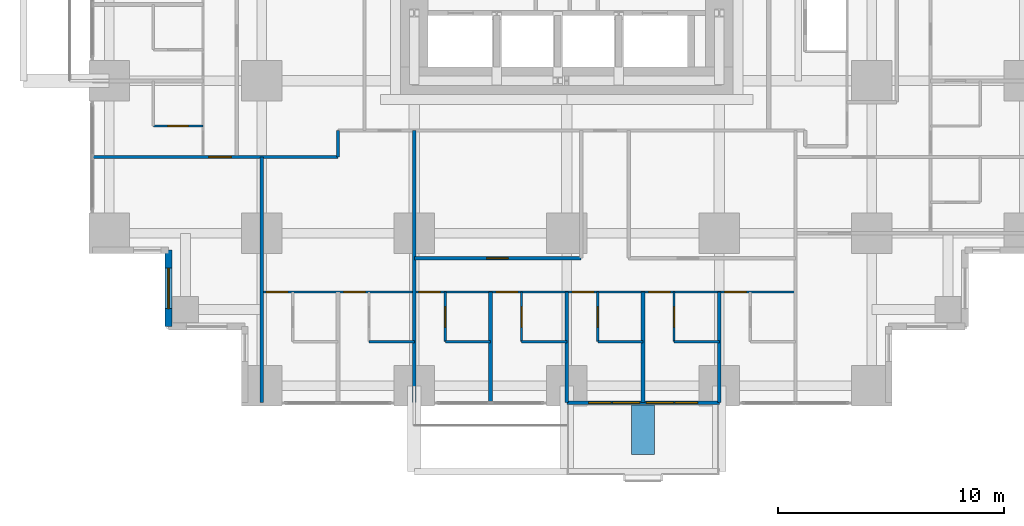
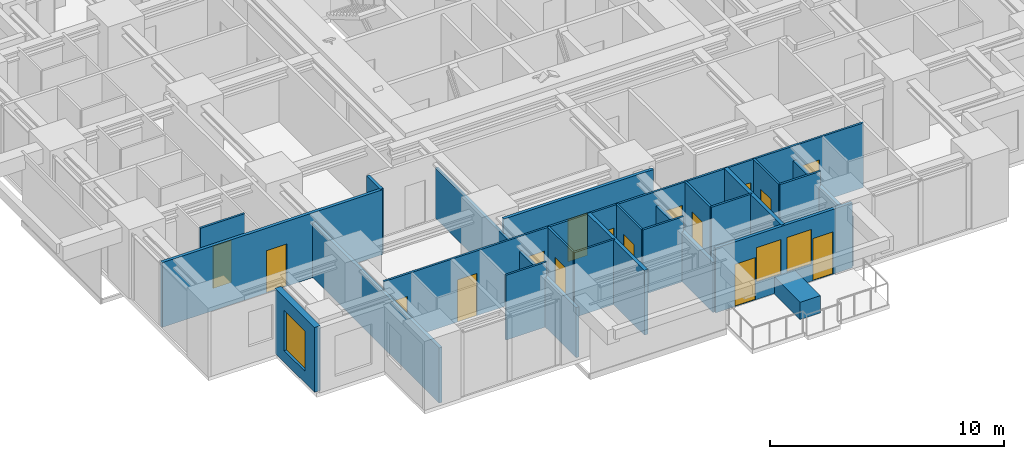
# One storey, part 7 of 13: 23 walls, 16 doors, 3 windows, 19 openings.
"""IFC4 building model written with IfcOpenShell, lengths in metres."""

import ifcopenshell
import ifcopenshell.guid

model = None  # the IFC model being written
_history = None  # IfcOwnerHistory: only IFC2X3 demands one
_inside = {}  # id of a spatial element -> (the spatial element, [elements in it])
_under = {}  # id of a project, library or spatial element -> (it, [spatial elements below it])
_declared = {}  # id of a project -> (the project, [libraries it declares])
_typed = {}  # id of a type object -> (the type object, [elements of that type])
_made_of = {}  # id of a material, layer set ... -> (it, [elements and type objects made of it])


def new_model(schema):
    """Start an empty IFC model of exactly this schema.

    Asked for "IFC4X3", IfcOpenShell would pick the latest addendum, in which some entities
    have other attributes; the version numbers below select the first issue.
    IFC2X3 requires an IfcOwnerHistory on every rooted entity: one is made here for all.
    """
    global model, _history
    if schema == "IFC4X3":
        model = ifcopenshell.file(schema_version=(4, 3, 0, 0))
    else:
        model = ifcopenshell.file(schema=schema)
    _inside.clear()
    _under.clear()
    _declared.clear()
    _typed.clear()
    _made_of.clear()
    _history = None
    if model.schema == "IFC2X3":
        org = make("IfcOrganization", Name="unknown")
        user = make(
            "IfcPersonAndOrganization",
            ThePerson=make("IfcPerson", FamilyName="unknown"),
            TheOrganization=org,
        )
        app = make(
            "IfcApplication",
            ApplicationDeveloper=org,
            Version="unknown",
            ApplicationFullName="unknown",
            ApplicationIdentifier="unknown",
        )
        _history = make(
            "IfcOwnerHistory",
            OwningUser=user,
            OwningApplication=app,
            ChangeAction="ADDED",
            CreationDate=0,
        )
    return model


def make(cls, **values):
    """One entity of the class cls with the attributes given. An attribute that is None is left unset."""
    return model.create_entity(
        cls, **{name: value for name, value in values.items() if value is not None}
    )


def rooted(cls, **values):
    """An entity with a GlobalId (a new one), such as an element, a storey or a relation."""
    return make(cls, GlobalId=ifcopenshell.guid.new(), OwnerHistory=_history, **values)


def si_unit(unit_type, name, prefix=None):
    """IfcSIUnit, for example si_unit("LENGTHUNIT", "METRE", prefix="MILLI")."""
    return make("IfcSIUnit", UnitType=unit_type, Prefix=prefix, Name=name)


def assignment(units):
    """IfcUnitAssignment: the units of a project."""
    return None if units is None else make("IfcUnitAssignment", Units=units)


def point(xyz):
    """IfcCartesianPoint."""
    return None if xyz is None else make("IfcCartesianPoint", Coordinates=xyz)


def direction(xyz):
    """IfcDirection."""
    return None if xyz is None else make("IfcDirection", DirectionRatios=xyz)


def frame(location, z_axis=None, x_axis=None):
    """IfcAxis2Placement3D, a coordinate frame: its origin and axes. An axis left out is left unset."""
    return make(
        "IfcAxis2Placement3D",
        Location=point(location),
        Axis=direction(z_axis),
        RefDirection=direction(x_axis),
    )


def frame_2d(location, x_axis=None):
    """IfcAxis2Placement2D, a coordinate frame in the plane: its origin and x axis."""
    return make(
        "IfcAxis2Placement2D", Location=point(location), RefDirection=direction(x_axis)
    )


def origin():
    """The frame at (0, 0, 0) with its axes left unset."""
    return frame((0.0, 0.0, 0.0))


def place(relative_to, where):
    """IfcLocalPlacement: puts the frame where relative to a parent placement (None: the world)."""
    return make(
        "IfcLocalPlacement", PlacementRelTo=relative_to, RelativePlacement=where
    )


def context(
    kind, dimensions, precision=None, world=None, true_north=None, identifier=None
):
    """IfcGeometricRepresentationContext, for example the 3D "Model" context."""
    return make(
        "IfcGeometricRepresentationContext",
        ContextIdentifier=identifier,
        ContextType=kind,
        CoordinateSpaceDimension=dimensions,
        Precision=precision,
        WorldCoordinateSystem=world,
        TrueNorth=true_north,
    )


def subcontext(parent, identifier, kind, view, scale=None):
    """IfcGeometricRepresentationSubContext, for example "Body" below "Model"."""
    return make(
        "IfcGeometricRepresentationSubContext",
        ContextIdentifier=identifier,
        ContextType=kind,
        ParentContext=parent,
        TargetScale=scale,
        TargetView=view,
    )


def project(units=None, contexts=None):
    """IfcProject with its units and contexts."""
    return rooted(
        "IfcProject",
        Name="project",
        RepresentationContexts=contexts,
        UnitsInContext=assignment(units),
    )


def spatial(cls, under=None, at=None, **own):
    """A site, building, storey or space (cls), placed at a placement, below another one or the project."""
    s = rooted(cls, ObjectPlacement=at, **own)
    if under is not None:
        _under.setdefault(under.id(), (under, []))[1].append(s)
    return s


def profile(cls, at=None, kind="AREA", **sizes):
    """A parametric profile (cls). Its sizes go by their IFC names, for example OverallWidth=200.0."""
    return make(cls, ProfileType=kind, Position=at, **sizes)


def rectangle(**sizes):
    """IfcRectangleProfileDef."""
    return profile("IfcRectangleProfileDef", **sizes)


def extrude(swept, where, along, depth):
    """IfcExtrudedAreaSolid: the profile swept, set in the frame where, extruded along a direction by depth."""
    return make(
        "IfcExtrudedAreaSolid",
        SweptArea=swept,
        Position=where,
        ExtrudedDirection=direction(along),
        Depth=depth,
    )


def shape(context_of_items, identifier, shape_type, items):
    """IfcShapeRepresentation: the items that make up one representation, for example the "Body"."""
    return make(
        "IfcShapeRepresentation",
        ContextOfItems=context_of_items,
        RepresentationIdentifier=identifier,
        RepresentationType=shape_type,
        Items=items,
    )


def material(Name=None, Category=None):
    """IfcMaterial."""
    return make("IfcMaterial", Name=Name, Category=Category)


def layer(
    of_material, thickness, ventilated=None, Name=None, Category=None, Priority=None
):
    """IfcMaterialLayer: one layer of a wall or slab, of a material (None: an air gap)."""
    return make(
        "IfcMaterialLayer",
        Material=of_material,
        LayerThickness=thickness,
        IsVentilated=ventilated,
        Name=Name,
        Category=Category,
        Priority=Priority,
    )


def layer_set(layers, Name=None):
    """IfcMaterialLayerSet."""
    return make("IfcMaterialLayerSet", MaterialLayers=layers, LayerSetName=Name)


def made_of(thing, what):
    """Note that an element or type object is made of a material, layer set ...; save() writes the relation."""
    if what is not None:
        _made_of.setdefault(what.id(), (what, []))[1].append(thing)
    return thing


def type_object(cls, material=None, **own):
    """A type object (cls), such as IfcWallType, which elements share."""
    return made_of(rooted(cls, **own), material)


def element(
    cls,
    number,
    at=None,
    inside=None,
    cuts=None,
    type_object=None,
    material=None,
    context=None,
    identifier="Body",
    shape_type=None,
    held_by="IfcProductDefinitionShape",
    body=None,
    shapes=None,
    **own,
):
    """One element of the class cls, such as IfcWall. Its Tag is "e" and its number.

    at: its placement. inside: the storey or other place that contains it. cuts: it is an
    opening in that element (IfcRelVoidsElement). A single representation is given by context,
    identifier, shape_type and body (its items); several are given by shapes. held_by: the class
    of the entity that holds the representations. save() writes the other relations.
    """
    e = rooted(cls, Tag="e%d" % number, ObjectPlacement=at, **own)
    if body is not None:
        shapes = [shape(context, identifier, shape_type, body)]
    if shapes is not None:
        e.Representation = make(held_by, Representations=shapes)
    if inside is not None:
        _inside.setdefault(inside.id(), (inside, []))[1].append(e)
    if cuts is not None:
        rooted(
            "IfcRelVoidsElement", RelatingBuildingElement=cuts, RelatedOpeningElement=e
        )
    if type_object is not None:
        _typed.setdefault(type_object.id(), (type_object, []))[1].append(e)
    return made_of(e, material)


def fill(opening, filler):
    """IfcRelFillsElement: the door or window that sits in an opening."""
    return rooted(
        "IfcRelFillsElement",
        RelatingOpeningElement=opening,
        RelatedBuildingElement=filler,
    )


def aggregate(whole, parts):
    """IfcRelAggregates: a whole, such as a stair, and the parts it consists of."""
    return rooted("IfcRelAggregates", RelatingObject=whole, RelatedObjects=parts)


def save(model, path):
    """Write the relations noted so far, then the file.

    IfcRelAggregates (storeys below a building ...), IfcRelContainedInSpatialStructure (elements
    in a storey), IfcRelDefinesByType, IfcRelAssociatesMaterial and IfcRelDeclares: one each for
    every whole, place, type object, material and project.
    """
    for whole, parts in _under.values():
        aggregate(whole, parts)
    for where, things in _inside.values():
        rooted(
            "IfcRelContainedInSpatialStructure",
            RelatedElements=things,
            RelatingStructure=where,
        )
    for kind, things in _typed.values():
        rooted("IfcRelDefinesByType", RelatedObjects=things, RelatingType=kind)
    for what, things in _made_of.values():
        rooted("IfcRelAssociatesMaterial", RelatedObjects=things, RelatingMaterial=what)
    for by, libraries in _declared.values():
        rooted("IfcRelDeclares", RelatingContext=by, RelatedDefinitions=libraries)
    model.write(path)


model = new_model("IFC4")

# Units and contexts
model_context = context("Model", 3, precision=1e-05, world=origin(), true_north=direction((0.0, 1.0)))
body_context = subcontext(model_context, "Body", "Model", "MODEL_VIEW")
ifc_project = project(units=[si_unit("LENGTHUNIT", "METRE"), si_unit("AREAUNIT", "SQUARE_METRE"), si_unit("VOLUMEUNIT", "CUBIC_METRE"), si_unit("PLANEANGLEUNIT", "RADIAN"), si_unit("MASSUNIT", "GRAM", prefix="KILO")], contexts=[model_context])

# Site, building, storey
site_placement = place(None, origin())
site = spatial("IfcSite", under=ifc_project, at=site_placement, CompositionType="ELEMENT")
building_placement = place(site_placement, origin())
building = spatial("IfcBuilding", under=site, at=building_placement, Name="Nyansa Garden Tower", CompositionType="ELEMENT")
storey_placement = place(building_placement, frame((0.0, 0.0, 105.300048828125)))
storey = spatial("IfcBuildingStorey", under=building, at=storey_placement, Name="L28", CompositionType="ELEMENT", Elevation=105.300048828125)

# Walls
ifc_material_1 = material(Name="Dense blockwork, plastered both sides, 55 dB", Category="masonry")
ifc_layer_1 = layer(ifc_material_1, 0.175048828125)
ifc_layer_set_1 = layer_set([ifc_layer_1], Name="Acoustic party wall PW175")
wall_type_1 = type_object("IfcWallType", Name="Acoustic party wall PW175", PredefinedType="PARTITIONING", material=ifc_layer_set_1)
wall_1_placement = place(storey_placement, frame((16.875, -0.73388671875, 0.0), z_axis=(0.0, 0.0, 1.0), x_axis=(0.0, 1.0, 0.0)))
element("IfcWall", 1, at=wall_1_placement, inside=storey, type_object=wall_type_1, Name="Party wall", PredefinedType="PARTITIONING", context=body_context, shape_type="SweptSolid", body=[
    extrude(rectangle(XDim=4.8837890625, YDim=0.175048828125, at=frame_2d((2.44189453125, 0.0))), origin(), (0.0, 0.0, 1.0), 3.375),
])
wall_2_placement = place(storey_placement, frame((20.25, -0.73388671875, 0.0), z_axis=(0.0, 0.0, 1.0), x_axis=(0.0, 1.0, 0.0)))
element("IfcWall", 2, at=wall_2_placement, inside=storey, type_object=wall_type_1, Name="Party wall", PredefinedType="PARTITIONING", context=body_context, shape_type="SweptSolid", body=[
    extrude(rectangle(XDim=4.8837890625, YDim=0.175048828125, at=frame_2d((2.44189453125, 0.0))), origin(), (0.0, 0.0, 1.0), 2.60986328125),
])
wall_3_placement = place(storey_placement, frame((23.625, -0.73388671875, 0.0), z_axis=(0.0, 0.0, 1.0), x_axis=(0.0, 1.0, 0.0)))
element("IfcWall", 3, at=wall_3_placement, inside=storey, type_object=wall_type_1, Name="Party wall", PredefinedType="PARTITIONING", context=body_context, shape_type="SweptSolid", body=[
    extrude(rectangle(XDim=4.8837890625, YDim=0.175048828125, at=frame_2d((2.44189453125, 0.0))), origin(), (0.0, 0.0, 1.0), 3.375),
])
wall_4_placement = place(storey_placement, frame((27.0, -0.73388671875, 0.0), z_axis=(0.0, 0.0, 1.0), x_axis=(0.0, 1.0, 0.0)))
element("IfcWall", 4, at=wall_4_placement, inside=storey, type_object=wall_type_1, Name="Party wall", PredefinedType="PARTITIONING", context=body_context, shape_type="SweptSolid", body=[
    extrude(rectangle(XDim=4.8837890625, YDim=0.175048828125, at=frame_2d((2.44189453125, 0.0))), origin(), (0.0, 0.0, 1.0), 2.60986328125),
])

# Wall, openings, doors, windows
ifc_material_2 = material(Name="Black aluminium framed glazed screen", Category="aluminium")
ifc_layer_2 = layer(ifc_material_2, 0.14990234375)
ifc_layer_set_2 = layer_set([ifc_layer_2], Name="Balcony screen wall BW150")
wall_type_2 = type_object("IfcWallType", Name="Balcony screen wall BW150", PredefinedType="SOLIDWALL", material=ifc_layer_set_2)
wall_5_placement = place(storey_placement, frame((27.0, -0.75, 0.0), z_axis=(0.0, 0.0, 1.0), x_axis=(-1.0, 0.0, 0.0)))
wall_5 = element("IfcWall", 5, at=wall_5_placement, inside=storey, type_object=wall_type_2, Name="Glazed screen wall L28 S", PredefinedType="SOLIDWALL", context=body_context, shape_type="SweptSolid", body=[
    extrude(rectangle(XDim=6.75, YDim=0.14990234375, at=frame_2d((3.375, 0.0))), origin(), (0.0, 0.0, 1.0), 3.375),
])
opening_1_placement = place(wall_5_placement, frame((0.96240234375, 0.0, 0.0)))
opening_1 = element("IfcOpeningElement", 6, at=opening_1_placement, cuts=wall_5, Name="Opening D20", PredefinedType="OPENING", context=body_context, shape_type="SweptSolid", body=[
    extrude(rectangle(XDim=1.0, YDim=2.199951171875, at=frame_2d((0.5, 1.10009765625))), frame((0.0, 0.0849609375, 0.0), z_axis=(0.0, -1.0, 0.0), x_axis=(1.0, 0.0, 0.0)), (0.0, 0.0, 1.0), 0.169921875),
])
opening_2_placement = place(wall_5_placement, frame((2.02490234375, 0.0, 0.89990234375)))
opening_2 = element("IfcOpeningElement", 7, at=opening_2_placement, cuts=wall_5, Name="Opening W6", PredefinedType="OPENING", context=body_context, shape_type="SweptSolid", body=[
    extrude(rectangle(XDim=1.199951171875, YDim=1.800048828125, at=frame_2d((0.60009765625, 0.89990234375))), frame((0.0, 0.0849609375, 0.0), z_axis=(0.0, -1.0, 0.0), x_axis=(1.0, 0.0, 0.0)), (0.0, 0.0, 1.0), 0.169921875),
])
opening_3_placement = place(wall_5_placement, frame((4.78759765625, 0.0, 0.0)))
opening_3 = element("IfcOpeningElement", 8, at=opening_3_placement, cuts=wall_5, Name="Opening D20", PredefinedType="OPENING", context=body_context, shape_type="SweptSolid", body=[
    extrude(rectangle(XDim=1.0, YDim=2.199951171875, at=frame_2d((0.5, 1.10009765625))), frame((0.0, 0.0849609375, 0.0), z_axis=(0.0, -1.0, 0.0), x_axis=(1.0, 0.0, 0.0)), (0.0, 0.0, 1.0), 0.169921875),
])
opening_4_placement = place(wall_5_placement, frame((3.52490234375, 0.0, 0.89990234375)))
opening_4 = element("IfcOpeningElement", 9, at=opening_4_placement, cuts=wall_5, Name="Opening W6", PredefinedType="OPENING", context=body_context, shape_type="SweptSolid", body=[
    extrude(rectangle(XDim=1.199951171875, YDim=1.800048828125, at=frame_2d((0.60009765625, 0.89990234375))), frame((0.0, 0.0849609375, 0.0), z_axis=(0.0, -1.0, 0.0), x_axis=(1.0, 0.0, 0.0)), (0.0, 0.0, 1.0), 0.169921875),
])
ifc_material_3 = material(Name="Black aluminium framed glazed door", Category="aluminium")
door_type_1 = type_object("IfcDoorType", Name="Balcony door D20 1000x2200", OperationType="NOTDEFINED", PredefinedType="DOOR", material=ifc_material_3)
door_1_placement = place(opening_1_placement, origin())
door_1 = element("IfcDoor", 10, at=door_1_placement, inside=storey, type_object=door_type_1, Name="Balcony door L28", OperationType="SINGLE_SWING_LEFT", OverallHeight=2.199951171875, OverallWidth=1.0, PredefinedType="DOOR", context=body_context, shape_type="SweptSolid", body=[
    extrude(rectangle(XDim=1.0, YDim=2.199951171875, at=frame_2d((0.5, 1.10009765625))), frame((0.0, 0.02490234375, 0.0), z_axis=(0.0, -1.0, 0.0), x_axis=(1.0, 0.0, 0.0)), (0.0, 0.0, 1.0), 0.050048828125),
])
fill(opening_1, door_1)
door_2_placement = place(opening_3_placement, origin())
door_2 = element("IfcDoor", 11, at=door_2_placement, inside=storey, type_object=door_type_1, Name="Balcony door L28", OperationType="SINGLE_SWING_RIGHT", OverallHeight=2.199951171875, OverallWidth=1.0, PredefinedType="DOOR", context=body_context, shape_type="SweptSolid", body=[
    extrude(rectangle(XDim=1.0, YDim=2.199951171875, at=frame_2d((0.5, 1.10009765625))), frame((0.0, 0.02490234375, 0.0), z_axis=(0.0, -1.0, 0.0), x_axis=(1.0, 0.0, 0.0)), (0.0, 0.0, 1.0), 0.050048828125),
])
fill(opening_3, door_2)
ifc_material_4 = material(Name="Black aluminium frame, dark tinted double glazing", Category="aluminium")
window_type_1 = type_object("IfcWindowType", Name="Balcony window W6 1200x1800", PartitioningType="SINGLE_PANEL", PredefinedType="WINDOW", material=ifc_material_4)
window_1_placement = place(opening_2_placement, origin())
window_1 = element("IfcWindow", 12, at=window_1_placement, inside=storey, type_object=window_type_1, Name="Window L28", OverallHeight=1.800048828125, OverallWidth=1.199951171875, PartitioningType="SINGLE_PANEL", PredefinedType="WINDOW", context=body_context, shape_type="SweptSolid", body=[
    extrude(rectangle(XDim=1.199951171875, YDim=1.800048828125, at=frame_2d((0.60009765625, 0.89990234375))), frame((0.0, 0.030029296875, 0.0), z_axis=(0.0, -1.0, 0.0), x_axis=(1.0, 0.0, 0.0)), (0.0, 0.0, 1.0), 0.06005859375),
])
fill(opening_2, window_1)
window_2_placement = place(opening_4_placement, origin())
window_2 = element("IfcWindow", 13, at=window_2_placement, inside=storey, type_object=window_type_1, Name="Window L28", OverallHeight=1.800048828125, OverallWidth=1.199951171875, PartitioningType="SINGLE_PANEL", PredefinedType="WINDOW", context=body_context, shape_type="SweptSolid", body=[
    extrude(rectangle(XDim=1.199951171875, YDim=1.800048828125, at=frame_2d((0.60009765625, 0.89990234375))), frame((0.0, 0.030029296875, 0.0), z_axis=(0.0, -1.0, 0.0), x_axis=(1.0, 0.0, 0.0)), (0.0, 0.0, 1.0), 0.06005859375),
])
fill(opening_4, window_2)

# Wall, opening, door
ifc_material_5 = material(Name="Blockwork, plastered both sides", Category="masonry")
ifc_layer_3 = layer(ifc_material_5, 0.14990234375)
ifc_layer_set_3 = layer_set([ifc_layer_3], Name="Partition PW150")
wall_type_3 = type_object("IfcWallType", Name="Partition PW150", PredefinedType="PARTITIONING", material=ifc_layer_set_3)
wall_6_placement = place(storey_placement, frame((-0.73388671875, 10.125, 0.0), z_axis=(0.0, 0.0, 1.0), x_axis=(1.0, 0.0, 0.0)))
wall_6 = element("IfcWall", 14, at=wall_6_placement, inside=storey, type_object=wall_type_3, Name="Partition", PredefinedType="PARTITIONING", context=body_context, shape_type="SweptSolid", body=[
    extrude(rectangle(XDim=10.85888671875, YDim=0.14990234375, at=frame_2d((5.429443359375, 0.0))), origin(), (0.0, 0.0, 1.0), 3.375),
])
opening_5_placement = place(wall_6_placement, frame((5.134033203125, 0.0, 0.0)))
opening_5 = element("IfcOpeningElement", 15, at=opening_5_placement, cuts=wall_6, Name="Opening D03", PredefinedType="OPENING", context=body_context, shape_type="SweptSolid", body=[
    extrude(rectangle(XDim=1.0, YDim=2.199951171875, at=frame_2d((0.5, 1.10009765625))), frame((0.0, 0.0849609375, 0.0), z_axis=(0.0, -1.0, 0.0), x_axis=(1.0, 0.0, 0.0)), (0.0, 0.0, 1.0), 0.169921875),
])
ifc_material_6 = material(Name="Timber flush door, 60 minute fire resisting", Category="wood")
door_type_2 = type_object("IfcDoorType", Name="Cluster entrance door D03 1000x2200", OperationType="SINGLE_SWING_LEFT", PredefinedType="DOOR", material=ifc_material_6)
door_3_placement = place(opening_5_placement, origin())
door_3 = element("IfcDoor", 16, at=door_3_placement, inside=storey, type_object=door_type_2, Name="Door L28-017", OperationType="SINGLE_SWING_LEFT", OverallHeight=2.199951171875, OverallWidth=1.0, PredefinedType="DOOR", context=body_context, shape_type="SweptSolid", body=[
    extrude(rectangle(XDim=1.0, YDim=2.199951171875, at=frame_2d((0.5, 1.10009765625))), frame((0.0, 0.02490234375, 0.0), z_axis=(0.0, -1.0, 0.0), x_axis=(1.0, 0.0, 0.0)), (0.0, 0.0, 1.0), 0.050048828125),
])
fill(opening_5, door_3)

# Walls
wall_7_placement = place(storey_placement, frame((6.75, -0.73388671875, 0.0), z_axis=(0.0, 0.0, 1.0), x_axis=(0.0, 1.0, 0.0)))
element("IfcWall", 17, at=wall_7_placement, inside=storey, type_object=wall_type_3, Name="Partition", PredefinedType="PARTITIONING", context=body_context, shape_type="SweptSolid", body=[
    extrude(rectangle(XDim=10.85888671875, YDim=0.14990234375, at=frame_2d((5.429443359375, 0.0))), origin(), (0.0, 0.0, 1.0), 2.876953125),
])
wall_8_placement = place(storey_placement, frame((10.125, 10.125, 0.0), z_axis=(0.0, 0.0, 1.0), x_axis=(0.0, 1.0, 0.0)))
element("IfcWall", 18, at=wall_8_placement, inside=storey, type_object=wall_type_3, Name="Partition", PredefinedType="PARTITIONING", context=body_context, shape_type="SweptSolid", body=[
    extrude(rectangle(XDim=1.175048828125, YDim=0.14990234375, at=frame_2d((0.58740234375, 0.0))), origin(), (0.0, 0.0, 1.0), 3.375),
])
wall_9_placement = place(storey_placement, frame((13.5, -0.73388671875, 0.0), z_axis=(0.0, 0.0, 1.0), x_axis=(0.0, 1.0, 0.0)))
element("IfcWall", 19, at=wall_9_placement, inside=storey, type_object=wall_type_3, Name="Partition", PredefinedType="PARTITIONING", context=body_context, shape_type="SweptSolid", body=[
    extrude(rectangle(XDim=12.033935546875, YDim=0.14990234375, at=frame_2d((6.01708984375, 0.0))), origin(), (0.0, 0.0, 1.0), 2.60986328125),
])

# Wall, opening, door
wall_10_placement = place(storey_placement, frame((13.5, 5.64990234375, 0.0), z_axis=(0.0, 0.0, 1.0), x_axis=(1.0, 0.0, 0.0)))
wall_10 = element("IfcWall", 20, at=wall_10_placement, inside=storey, type_object=wall_type_3, Name="Partition", PredefinedType="PARTITIONING", context=body_context, shape_type="SweptSolid", body=[
    extrude(rectangle(XDim=7.387451171875, YDim=0.14990234375, at=frame_2d((3.69384765625, 0.0))), origin(), (0.0, 0.0, 1.0), 3.375),
])
opening_6_placement = place(wall_10_placement, frame((3.199951171875, 0.0, 0.0)))
opening_6 = element("IfcOpeningElement", 21, at=opening_6_placement, cuts=wall_10, Name="Opening D01", PredefinedType="OPENING", context=body_context, shape_type="SweptSolid", body=[
    extrude(rectangle(XDim=0.949951171875, YDim=2.199951171875, at=frame_2d((0.47509765625, 1.10009765625))), frame((0.0, 0.0849609375, 0.0), z_axis=(0.0, -1.0, 0.0), x_axis=(1.0, 0.0, 0.0)), (0.0, 0.0, 1.0), 0.169921875),
])
ifc_material_7 = material(Name="Timber flush door, 30 minute fire resisting", Category="wood")
door_type_3 = type_object("IfcDoorType", Name="Bedroom door D01 950x2200", OperationType="SINGLE_SWING_LEFT", PredefinedType="DOOR", material=ifc_material_7)
door_4_placement = place(opening_6_placement, origin())
door_4 = element("IfcDoor", 22, at=door_4_placement, inside=storey, type_object=door_type_3, Name="Door L28-035", OperationType="SINGLE_SWING_LEFT", OverallHeight=2.199951171875, OverallWidth=0.949951171875, PredefinedType="DOOR", context=body_context, shape_type="SweptSolid", body=[
    extrude(rectangle(XDim=0.949951171875, YDim=2.199951171875, at=frame_2d((0.47509765625, 1.10009765625))), frame((0.0, 0.02490234375, 0.0), z_axis=(0.0, -1.0, 0.0), x_axis=(1.0, 0.0, 0.0)), (0.0, 0.0, 1.0), 0.050048828125),
])
fill(opening_6, door_4)

# Wall, opening, window
ifc_material_8 = material(Name="Turquoise glazed tile on concrete blockwork", Category="masonry")
ifc_layer_4 = layer(ifc_material_8, 0.300048828125)
ifc_layer_set_4 = layer_set([ifc_layer_4], Name="Tiled corner wall TW300")
wall_type_4 = type_object("IfcWallType", Name="Tiled corner wall TW300", PredefinedType="SOLIDWALL", material=ifc_layer_set_4)
wall_11_placement = place(storey_placement, frame((2.625, 6.0, 0.0), z_axis=(0.0, 0.0, 1.0), x_axis=(0.0, -1.0, 0.0)))
wall_11 = element("IfcWall", 23, at=wall_11_placement, inside=storey, type_object=wall_type_4, Name="Tiled corner wall L28", PredefinedType="SOLIDWALL", context=body_context, shape_type="SweptSolid", body=[
    extrude(rectangle(XDim=3.375, YDim=0.300048828125, at=frame_2d((1.6875, 0.0))), origin(), (0.0, 0.0, 1.0), 3.375),
])
opening_7_placement = place(wall_11_placement, frame((0.78759765625, 0.0, 0.60009765625)))
opening_7 = element("IfcOpeningElement", 24, at=opening_7_placement, cuts=wall_11, Name="Opening W2", PredefinedType="OPENING", context=body_context, shape_type="SweptSolid", body=[
    extrude(rectangle(XDim=1.800048828125, YDim=2.10009765625, at=frame_2d((0.89990234375, 1.050048828125))), frame((0.0, 0.159912109375, 0.0), z_axis=(0.0, -1.0, 0.0), x_axis=(1.0, 0.0, 0.0)), (0.0, 0.0, 1.0), 0.320068359375),
])
ifc_material_9 = material(Name="Black aluminium frame, dark tinted double glazing", Category="aluminium")
window_type_2 = type_object("IfcWindowType", Name="Window W2 1800x2100", PartitioningType="SINGLE_PANEL", PredefinedType="WINDOW", material=ifc_material_9)
window_3_placement = place(opening_7_placement, origin())
window_3 = element("IfcWindow", 25, at=window_3_placement, inside=storey, type_object=window_type_2, Name="Corner window L28", OverallHeight=2.10009765625, OverallWidth=1.800048828125, PartitioningType="SINGLE_PANEL", PredefinedType="WINDOW", context=body_context, shape_type="SweptSolid", body=[
    extrude(rectangle(XDim=1.800048828125, YDim=2.10009765625, at=frame_2d((0.89990234375, 1.050048828125))), frame((0.0, 0.030029296875, 0.0), z_axis=(0.0, -1.0, 0.0), x_axis=(1.0, 0.0, 0.0)), (0.0, 0.0, 1.0), 0.06005859375),
])
fill(opening_7, window_3)

# Wall
ifc_material_10 = material(Name="Concrete C40/50 planter, waterproofed", Category="concrete")
ifc_layer_5 = layer(ifc_material_10, 1.0)
ifc_layer_set_5 = layer_set([ifc_layer_5], Name="Tree planter TP1")
wall_type_5 = type_object("IfcWallType", Name="Tree planter TP1", PredefinedType="USERDEFINED", material=ifc_layer_set_5)
wall_12_placement = place(storey_placement, frame((23.625, -0.85009765625, 0.0), z_axis=(0.0, 0.0, 1.0), x_axis=(0.0, -1.0, 0.0)))
element("IfcWall", 26, at=wall_12_placement, inside=storey, type_object=wall_type_5, Name="Tree planter L28", ObjectType="TREE PLANTER", PredefinedType="USERDEFINED", context=body_context, shape_type="SweptSolid", body=[
    extrude(rectangle(XDim=2.199951171875, YDim=1.0, at=frame_2d((1.10009765625, 0.0))), origin(), (0.0, 0.0, 1.0), 0.89990234375),
])

# Wall, opening, door
ifc_material_11 = material(Name="Moisture resistant board on steel studs, tiled", Category="steel")
ifc_layer_6 = layer(ifc_material_11, 0.10009765625)
ifc_layer_set_6 = layer_set([ifc_layer_6], Name="Wet wall PW100")
wall_type_6 = type_object("IfcWallType", Name="Wet wall PW100", PredefinedType="PARTITIONING", material=ifc_layer_set_6)
wall_13_placement = place(storey_placement, frame((1.949951171875, 11.5, 0.0), z_axis=(0.0, 0.0, 1.0), x_axis=(1.0, 0.0, 0.0)))
wall_13 = element("IfcWall", 27, at=wall_13_placement, inside=storey, type_object=wall_type_6, Name="Wet wall", PredefinedType="PARTITIONING", context=body_context, shape_type="SweptSolid", body=[
    extrude(rectangle(XDim=2.199951171875, YDim=0.10009765625, at=frame_2d((1.10009765625, 0.0))), origin(), (0.0, 0.0, 1.0), 3.375),
])
opening_8_placement = place(wall_13_placement, frame((0.64990234375, 0.0, 0.0)))
opening_8 = element("IfcOpeningElement", 28, at=opening_8_placement, cuts=wall_13, Name="Opening D02", PredefinedType="OPENING", context=body_context, shape_type="SweptSolid", body=[
    extrude(rectangle(XDim=0.89990234375, YDim=2.199951171875, at=frame_2d((0.449951171875, 1.10009765625))), frame((0.0, 0.06005859375, 0.0), z_axis=(0.0, -1.0, 0.0), x_axis=(1.0, 0.0, 0.0)), (0.0, 0.0, 1.0), 0.1201171875),
])
ifc_material_12 = material(Name="Timber flush door", Category="wood")
door_type_4 = type_object("IfcDoorType", Name="En-suite door D02 900x2200", OperationType="SINGLE_SWING_RIGHT", PredefinedType="DOOR", material=ifc_material_12)
door_5_placement = place(opening_8_placement, origin())
door_5 = element("IfcDoor", 29, at=door_5_placement, inside=storey, type_object=door_type_4, Name="Door L28-061", OperationType="SINGLE_SWING_RIGHT", OverallHeight=2.199951171875, OverallWidth=0.89990234375, PredefinedType="DOOR", context=body_context, shape_type="SweptSolid", body=[
    extrude(rectangle(XDim=0.89990234375, YDim=2.199951171875, at=frame_2d((0.449951171875, 1.10009765625))), frame((0.0, 0.02490234375, 0.0), z_axis=(0.0, -1.0, 0.0), x_axis=(1.0, 0.0, 0.0)), (0.0, 0.0, 1.0), 0.050048828125),
])
fill(opening_8, door_5)

# Wall, openings, doors
wall_14_placement = place(storey_placement, frame((6.75, 4.14990234375, 0.0), z_axis=(0.0, 0.0, 1.0), x_axis=(1.0, 0.0, 0.0)))
wall_14 = element("IfcWall", 30, at=wall_14_placement, inside=storey, type_object=wall_type_6, Name="Wet wall", PredefinedType="PARTITIONING", context=body_context, shape_type="SweptSolid", body=[
    extrude(rectangle(XDim=23.625, YDim=0.10009765625, at=frame_2d((11.8125, 0.0))), origin(), (0.0, 0.0, 1.0), 3.375),
])
opening_9_placement = place(wall_14_placement, frame((0.199951171875, 0.0, 0.0)))
opening_9 = element("IfcOpeningElement", 31, at=opening_9_placement, cuts=wall_14, Name="Opening D01", PredefinedType="OPENING", context=body_context, shape_type="SweptSolid", body=[
    extrude(rectangle(XDim=0.949951171875, YDim=2.199951171875, at=frame_2d((0.47509765625, 1.10009765625))), frame((0.0, 0.06005859375, 0.0), z_axis=(0.0, -1.0, 0.0), x_axis=(1.0, 0.0, 0.0)), (0.0, 0.0, 1.0), 0.1201171875),
])
opening_10_placement = place(wall_14_placement, frame((3.625, 0.0, 0.0)))
opening_10 = element("IfcOpeningElement", 32, at=opening_10_placement, cuts=wall_14, Name="Opening D01", PredefinedType="OPENING", context=body_context, shape_type="SweptSolid", body=[
    extrude(rectangle(XDim=0.949951171875, YDim=2.199951171875, at=frame_2d((0.47509765625, 1.10009765625))), frame((0.0, 0.06005859375, 0.0), z_axis=(0.0, -1.0, 0.0), x_axis=(1.0, 0.0, 0.0)), (0.0, 0.0, 1.0), 0.1201171875),
])
opening_11_placement = place(wall_14_placement, frame((6.949951171875, 0.0, 0.0)))
opening_11 = element("IfcOpeningElement", 33, at=opening_11_placement, cuts=wall_14, Name="Opening D14", PredefinedType="OPENING", context=body_context, shape_type="SweptSolid", body=[
    extrude(rectangle(XDim=0.949951171875, YDim=2.199951171875, at=frame_2d((0.47509765625, 1.10009765625))), frame((0.0, 0.06005859375, 0.0), z_axis=(0.0, -1.0, 0.0), x_axis=(1.0, 0.0, 0.0)), (0.0, 0.0, 1.0), 0.1201171875),
])
opening_12_placement = place(wall_14_placement, frame((10.375, 0.0, 0.0)))
opening_12 = element("IfcOpeningElement", 34, at=opening_12_placement, cuts=wall_14, Name="Opening D14", PredefinedType="OPENING", context=body_context, shape_type="SweptSolid", body=[
    extrude(rectangle(XDim=0.949951171875, YDim=2.199951171875, at=frame_2d((0.47509765625, 1.10009765625))), frame((0.0, 0.06005859375, 0.0), z_axis=(0.0, -1.0, 0.0), x_axis=(1.0, 0.0, 0.0)), (0.0, 0.0, 1.0), 0.1201171875),
])
opening_13_placement = place(wall_14_placement, frame((13.75, 0.0, 0.0)))
opening_13 = element("IfcOpeningElement", 35, at=opening_13_placement, cuts=wall_14, Name="Opening D14", PredefinedType="OPENING", context=body_context, shape_type="SweptSolid", body=[
    extrude(rectangle(XDim=0.949951171875, YDim=2.199951171875, at=frame_2d((0.47509765625, 1.10009765625))), frame((0.0, 0.06005859375, 0.0), z_axis=(0.0, -1.0, 0.0), x_axis=(1.0, 0.0, 0.0)), (0.0, 0.0, 1.0), 0.1201171875),
])
opening_14_placement = place(wall_14_placement, frame((17.125, 0.0, 0.0)))
opening_14 = element("IfcOpeningElement", 36, at=opening_14_placement, cuts=wall_14, Name="Opening D14", PredefinedType="OPENING", context=body_context, shape_type="SweptSolid", body=[
    extrude(rectangle(XDim=0.949951171875, YDim=2.199951171875, at=frame_2d((0.47509765625, 1.10009765625))), frame((0.0, 0.06005859375, 0.0), z_axis=(0.0, -1.0, 0.0), x_axis=(1.0, 0.0, 0.0)), (0.0, 0.0, 1.0), 0.1201171875),
])
opening_15_placement = place(wall_14_placement, frame((20.5, 0.0, 0.0)))
opening_15 = element("IfcOpeningElement", 37, at=opening_15_placement, cuts=wall_14, Name="Opening D14", PredefinedType="OPENING", context=body_context, shape_type="SweptSolid", body=[
    extrude(rectangle(XDim=0.949951171875, YDim=2.199951171875, at=frame_2d((0.47509765625, 1.10009765625))), frame((0.0, 0.06005859375, 0.0), z_axis=(0.0, -1.0, 0.0), x_axis=(1.0, 0.0, 0.0)), (0.0, 0.0, 1.0), 0.1201171875),
])
door_6_placement = place(opening_9_placement, origin())
door_6 = element("IfcDoor", 38, at=door_6_placement, inside=storey, type_object=door_type_3, Name="Door L28-018", OperationType="SINGLE_SWING_LEFT", OverallHeight=2.199951171875, OverallWidth=0.949951171875, PredefinedType="DOOR", context=body_context, shape_type="SweptSolid", body=[
    extrude(rectangle(XDim=0.949951171875, YDim=2.199951171875, at=frame_2d((0.47509765625, 1.10009765625))), frame((0.0, 0.02490234375, 0.0), z_axis=(0.0, -1.0, 0.0), x_axis=(1.0, 0.0, 0.0)), (0.0, 0.0, 1.0), 0.050048828125),
])
fill(opening_9, door_6)
door_7_placement = place(opening_10_placement, origin())
door_7 = element("IfcDoor", 39, at=door_7_placement, inside=storey, type_object=door_type_3, Name="Door L28-020", OperationType="SINGLE_SWING_LEFT", OverallHeight=2.199951171875, OverallWidth=0.949951171875, PredefinedType="DOOR", context=body_context, shape_type="SweptSolid", body=[
    extrude(rectangle(XDim=0.949951171875, YDim=2.199951171875, at=frame_2d((0.47509765625, 1.10009765625))), frame((0.0, 0.02490234375, 0.0), z_axis=(0.0, -1.0, 0.0), x_axis=(1.0, 0.0, 0.0)), (0.0, 0.0, 1.0), 0.050048828125),
])
fill(opening_10, door_7)
ifc_material_13 = material(Name="Timber flush door, 60 minute fire resisting, self-closing", Category="wood")
door_type_5 = type_object("IfcDoorType", Name="Studio entrance door D14 950x2200", OperationType="SINGLE_SWING_LEFT", PredefinedType="DOOR", material=ifc_material_13)
door_8_placement = place(opening_11_placement, origin())
door_8 = element("IfcDoor", 40, at=door_8_placement, inside=storey, type_object=door_type_5, Name="Door L28-023", OperationType="SINGLE_SWING_LEFT", OverallHeight=2.199951171875, OverallWidth=0.949951171875, PredefinedType="DOOR", context=body_context, shape_type="SweptSolid", body=[
    extrude(rectangle(XDim=0.949951171875, YDim=2.199951171875, at=frame_2d((0.47509765625, 1.10009765625))), frame((0.0, 0.02490234375, 0.0), z_axis=(0.0, -1.0, 0.0), x_axis=(1.0, 0.0, 0.0)), (0.0, 0.0, 1.0), 0.050048828125),
])
fill(opening_11, door_8)
door_9_placement = place(opening_12_placement, origin())
door_9 = element("IfcDoor", 41, at=door_9_placement, inside=storey, type_object=door_type_5, Name="Door L28-025", OperationType="SINGLE_SWING_LEFT", OverallHeight=2.199951171875, OverallWidth=0.949951171875, PredefinedType="DOOR", context=body_context, shape_type="SweptSolid", body=[
    extrude(rectangle(XDim=0.949951171875, YDim=2.199951171875, at=frame_2d((0.47509765625, 1.10009765625))), frame((0.0, 0.02490234375, 0.0), z_axis=(0.0, -1.0, 0.0), x_axis=(1.0, 0.0, 0.0)), (0.0, 0.0, 1.0), 0.050048828125),
])
fill(opening_12, door_9)
door_10_placement = place(opening_13_placement, origin())
door_10 = element("IfcDoor", 42, at=door_10_placement, inside=storey, type_object=door_type_5, Name="Door L28-027", OperationType="SINGLE_SWING_LEFT", OverallHeight=2.199951171875, OverallWidth=0.949951171875, PredefinedType="DOOR", context=body_context, shape_type="SweptSolid", body=[
    extrude(rectangle(XDim=0.949951171875, YDim=2.199951171875, at=frame_2d((0.47509765625, 1.10009765625))), frame((0.0, 0.02490234375, 0.0), z_axis=(0.0, -1.0, 0.0), x_axis=(1.0, 0.0, 0.0)), (0.0, 0.0, 1.0), 0.050048828125),
])
fill(opening_13, door_10)
door_11_placement = place(opening_14_placement, origin())
door_11 = element("IfcDoor", 43, at=door_11_placement, inside=storey, type_object=door_type_5, Name="Door L28-029", OperationType="SINGLE_SWING_LEFT", OverallHeight=2.199951171875, OverallWidth=0.949951171875, PredefinedType="DOOR", context=body_context, shape_type="SweptSolid", body=[
    extrude(rectangle(XDim=0.949951171875, YDim=2.199951171875, at=frame_2d((0.47509765625, 1.10009765625))), frame((0.0, 0.02490234375, 0.0), z_axis=(0.0, -1.0, 0.0), x_axis=(1.0, 0.0, 0.0)), (0.0, 0.0, 1.0), 0.050048828125),
])
fill(opening_14, door_11)
door_12_placement = place(opening_15_placement, origin())
door_12 = element("IfcDoor", 44, at=door_12_placement, inside=storey, type_object=door_type_5, Name="Door L28-031", OperationType="SINGLE_SWING_LEFT", OverallHeight=2.199951171875, OverallWidth=0.949951171875, PredefinedType="DOOR", context=body_context, shape_type="SweptSolid", body=[
    extrude(rectangle(XDim=0.949951171875, YDim=2.199951171875, at=frame_2d((0.47509765625, 1.10009765625))), frame((0.0, 0.02490234375, 0.0), z_axis=(0.0, -1.0, 0.0), x_axis=(1.0, 0.0, 0.0)), (0.0, 0.0, 1.0), 0.050048828125),
])
fill(opening_15, door_12)

# Wall
wall_15_placement = place(storey_placement, frame((11.5, 1.949951171875, 0.0), z_axis=(0.0, 0.0, 1.0), x_axis=(1.0, 0.0, 0.0)))
element("IfcWall", 45, at=wall_15_placement, inside=storey, type_object=wall_type_6, Name="Wet wall", PredefinedType="PARTITIONING", context=body_context, shape_type="SweptSolid", body=[
    extrude(rectangle(XDim=2.0, YDim=0.10009765625, at=frame_2d((1.0, 0.0))), origin(), (0.0, 0.0, 1.0), 3.375),
])

# Wall, opening, door
wall_16_placement = place(storey_placement, frame((14.875, 1.949951171875, 0.0), z_axis=(0.0, 0.0, 1.0), x_axis=(0.0, 1.0, 0.0)))
wall_16 = element("IfcWall", 46, at=wall_16_placement, inside=storey, type_object=wall_type_6, Name="Wet wall", PredefinedType="PARTITIONING", context=body_context, shape_type="SweptSolid", body=[
    extrude(rectangle(XDim=2.199951171875, YDim=0.10009765625, at=frame_2d((1.10009765625, 0.0))), origin(), (0.0, 0.0, 1.0), 3.375),
])
opening_16_placement = place(wall_16_placement, frame((0.64990234375, 0.0, 0.0)))
opening_16 = element("IfcOpeningElement", 47, at=opening_16_placement, cuts=wall_16, Name="Opening D02", PredefinedType="OPENING", context=body_context, shape_type="SweptSolid", body=[
    extrude(rectangle(XDim=0.89990234375, YDim=2.199951171875, at=frame_2d((0.449951171875, 1.10009765625))), frame((0.0, 0.06005859375, 0.0), z_axis=(0.0, -1.0, 0.0), x_axis=(1.0, 0.0, 0.0)), (0.0, 0.0, 1.0), 0.1201171875),
])
door_13_placement = place(opening_16_placement, origin())
door_13 = element("IfcDoor", 48, at=door_13_placement, inside=storey, type_object=door_type_4, Name="Door L28-024", OperationType="SINGLE_SWING_RIGHT", OverallHeight=2.199951171875, OverallWidth=0.89990234375, PredefinedType="DOOR", context=body_context, shape_type="SweptSolid", body=[
    extrude(rectangle(XDim=0.89990234375, YDim=2.199951171875, at=frame_2d((0.449951171875, 1.10009765625))), frame((0.0, 0.02490234375, 0.0), z_axis=(0.0, -1.0, 0.0), x_axis=(1.0, 0.0, 0.0)), (0.0, 0.0, 1.0), 0.050048828125),
])
fill(opening_16, door_13)

# Wall
wall_17_placement = place(storey_placement, frame((14.875, 1.949951171875, 0.0), z_axis=(0.0, 0.0, 1.0), x_axis=(1.0, 0.0, 0.0)))
element("IfcWall", 49, at=wall_17_placement, inside=storey, type_object=wall_type_6, Name="Wet wall", PredefinedType="PARTITIONING", context=body_context, shape_type="SweptSolid", body=[
    extrude(rectangle(XDim=2.0, YDim=0.10009765625, at=frame_2d((1.0, 0.0))), origin(), (0.0, 0.0, 1.0), 3.375),
])

# Wall, opening, door
wall_18_placement = place(storey_placement, frame((18.25, 1.949951171875, 0.0), z_axis=(0.0, 0.0, 1.0), x_axis=(0.0, 1.0, 0.0)))
wall_18 = element("IfcWall", 50, at=wall_18_placement, inside=storey, type_object=wall_type_6, Name="Wet wall", PredefinedType="PARTITIONING", context=body_context, shape_type="SweptSolid", body=[
    extrude(rectangle(XDim=2.199951171875, YDim=0.10009765625, at=frame_2d((1.10009765625, 0.0))), origin(), (0.0, 0.0, 1.0), 3.375),
])
opening_17_placement = place(wall_18_placement, frame((0.64990234375, 0.0, 0.0)))
opening_17 = element("IfcOpeningElement", 51, at=opening_17_placement, cuts=wall_18, Name="Opening D02", PredefinedType="OPENING", context=body_context, shape_type="SweptSolid", body=[
    extrude(rectangle(XDim=0.89990234375, YDim=2.199951171875, at=frame_2d((0.449951171875, 1.10009765625))), frame((0.0, 0.06005859375, 0.0), z_axis=(0.0, -1.0, 0.0), x_axis=(1.0, 0.0, 0.0)), (0.0, 0.0, 1.0), 0.1201171875),
])
door_14_placement = place(opening_17_placement, origin())
door_14 = element("IfcDoor", 52, at=door_14_placement, inside=storey, type_object=door_type_4, Name="Door L28-026", OperationType="SINGLE_SWING_RIGHT", OverallHeight=2.199951171875, OverallWidth=0.89990234375, PredefinedType="DOOR", context=body_context, shape_type="SweptSolid", body=[
    extrude(rectangle(XDim=0.89990234375, YDim=2.199951171875, at=frame_2d((0.449951171875, 1.10009765625))), frame((0.0, 0.02490234375, 0.0), z_axis=(0.0, -1.0, 0.0), x_axis=(1.0, 0.0, 0.0)), (0.0, 0.0, 1.0), 0.050048828125),
])
fill(opening_17, door_14)

# Wall
wall_19_placement = place(storey_placement, frame((18.25, 1.949951171875, 0.0), z_axis=(0.0, 0.0, 1.0), x_axis=(1.0, 0.0, 0.0)))
element("IfcWall", 53, at=wall_19_placement, inside=storey, type_object=wall_type_6, Name="Wet wall", PredefinedType="PARTITIONING", context=body_context, shape_type="SweptSolid", body=[
    extrude(rectangle(XDim=2.0, YDim=0.10009765625, at=frame_2d((1.0, 0.0))), origin(), (0.0, 0.0, 1.0), 3.375),
])

# Wall, opening, door
wall_20_placement = place(storey_placement, frame((21.625, 1.949951171875, 0.0), z_axis=(0.0, 0.0, 1.0), x_axis=(0.0, 1.0, 0.0)))
wall_20 = element("IfcWall", 54, at=wall_20_placement, inside=storey, type_object=wall_type_6, Name="Wet wall", PredefinedType="PARTITIONING", context=body_context, shape_type="SweptSolid", body=[
    extrude(rectangle(XDim=2.199951171875, YDim=0.10009765625, at=frame_2d((1.10009765625, 0.0))), origin(), (0.0, 0.0, 1.0), 3.375),
])
opening_18_placement = place(wall_20_placement, frame((0.64990234375, 0.0, 0.0)))
opening_18 = element("IfcOpeningElement", 55, at=opening_18_placement, cuts=wall_20, Name="Opening D02", PredefinedType="OPENING", context=body_context, shape_type="SweptSolid", body=[
    extrude(rectangle(XDim=0.89990234375, YDim=2.199951171875, at=frame_2d((0.449951171875, 1.10009765625))), frame((0.0, 0.06005859375, 0.0), z_axis=(0.0, -1.0, 0.0), x_axis=(1.0, 0.0, 0.0)), (0.0, 0.0, 1.0), 0.1201171875),
])
door_15_placement = place(opening_18_placement, origin())
door_15 = element("IfcDoor", 56, at=door_15_placement, inside=storey, type_object=door_type_4, Name="Door L28-028", OperationType="SINGLE_SWING_RIGHT", OverallHeight=2.199951171875, OverallWidth=0.89990234375, PredefinedType="DOOR", context=body_context, shape_type="SweptSolid", body=[
    extrude(rectangle(XDim=0.89990234375, YDim=2.199951171875, at=frame_2d((0.449951171875, 1.10009765625))), frame((0.0, 0.02490234375, 0.0), z_axis=(0.0, -1.0, 0.0), x_axis=(1.0, 0.0, 0.0)), (0.0, 0.0, 1.0), 0.050048828125),
])
fill(opening_18, door_15)

# Wall
wall_21_placement = place(storey_placement, frame((21.625, 1.949951171875, 0.0), z_axis=(0.0, 0.0, 1.0), x_axis=(1.0, 0.0, 0.0)))
element("IfcWall", 57, at=wall_21_placement, inside=storey, type_object=wall_type_6, Name="Wet wall", PredefinedType="PARTITIONING", context=body_context, shape_type="SweptSolid", body=[
    extrude(rectangle(XDim=2.0, YDim=0.10009765625, at=frame_2d((1.0, 0.0))), origin(), (0.0, 0.0, 1.0), 3.375),
])

# Wall, opening, door
wall_22_placement = place(storey_placement, frame((25.0, 1.949951171875, 0.0), z_axis=(0.0, 0.0, 1.0), x_axis=(0.0, 1.0, 0.0)))
wall_22 = element("IfcWall", 58, at=wall_22_placement, inside=storey, type_object=wall_type_6, Name="Wet wall", PredefinedType="PARTITIONING", context=body_context, shape_type="SweptSolid", body=[
    extrude(rectangle(XDim=2.199951171875, YDim=0.10009765625, at=frame_2d((1.10009765625, 0.0))), origin(), (0.0, 0.0, 1.0), 3.375),
])
opening_19_placement = place(wall_22_placement, frame((0.64990234375, 0.0, 0.0)))
opening_19 = element("IfcOpeningElement", 59, at=opening_19_placement, cuts=wall_22, Name="Opening D02", PredefinedType="OPENING", context=body_context, shape_type="SweptSolid", body=[
    extrude(rectangle(XDim=0.89990234375, YDim=2.199951171875, at=frame_2d((0.449951171875, 1.10009765625))), frame((0.0, 0.06005859375, 0.0), z_axis=(0.0, -1.0, 0.0), x_axis=(1.0, 0.0, 0.0)), (0.0, 0.0, 1.0), 0.1201171875),
])
door_16_placement = place(opening_19_placement, origin())
door_16 = element("IfcDoor", 60, at=door_16_placement, inside=storey, type_object=door_type_4, Name="Door L28-030", OperationType="SINGLE_SWING_RIGHT", OverallHeight=2.199951171875, OverallWidth=0.89990234375, PredefinedType="DOOR", context=body_context, shape_type="SweptSolid", body=[
    extrude(rectangle(XDim=0.89990234375, YDim=2.199951171875, at=frame_2d((0.449951171875, 1.10009765625))), frame((0.0, 0.02490234375, 0.0), z_axis=(0.0, -1.0, 0.0), x_axis=(1.0, 0.0, 0.0)), (0.0, 0.0, 1.0), 0.050048828125),
])
fill(opening_19, door_16)

# Wall
wall_23_placement = place(storey_placement, frame((25.0, 1.949951171875, 0.0), z_axis=(0.0, 0.0, 1.0), x_axis=(1.0, 0.0, 0.0)))
element("IfcWall", 61, at=wall_23_placement, inside=storey, type_object=wall_type_6, Name="Wet wall", PredefinedType="PARTITIONING", context=body_context, shape_type="SweptSolid", body=[
    extrude(rectangle(XDim=2.0, YDim=0.10009765625, at=frame_2d((1.0, 0.0))), origin(), (0.0, 0.0, 1.0), 3.375),
])

save(model, "model.ifc")
